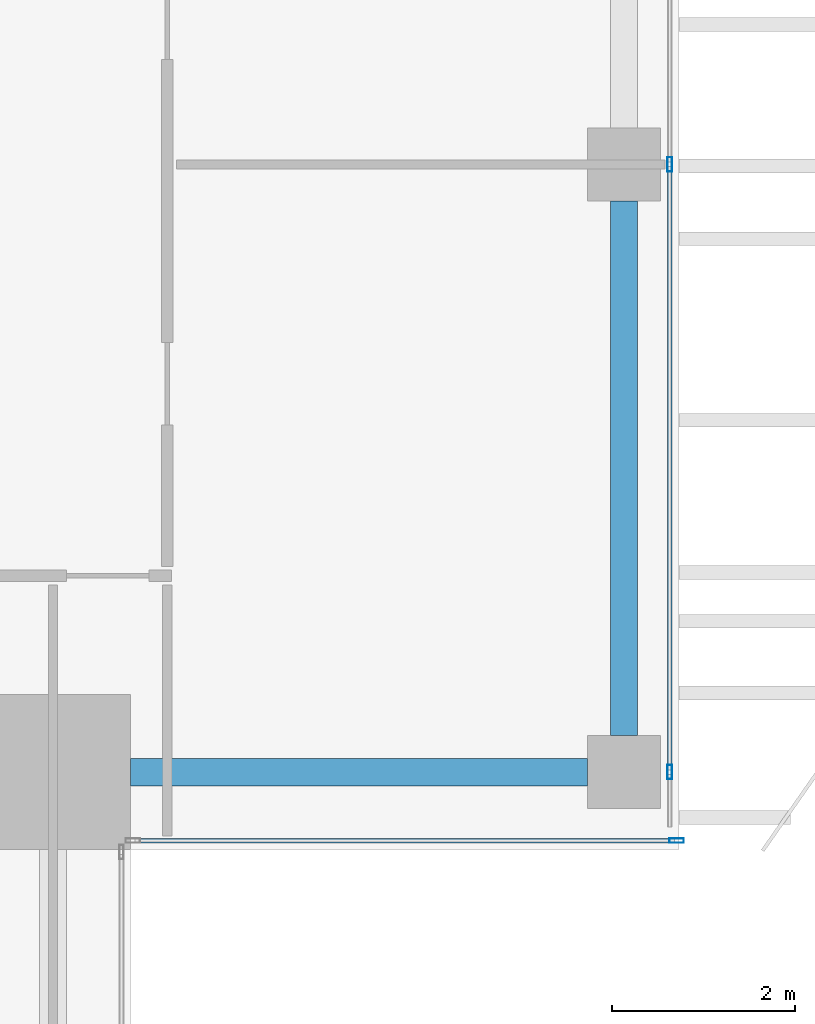
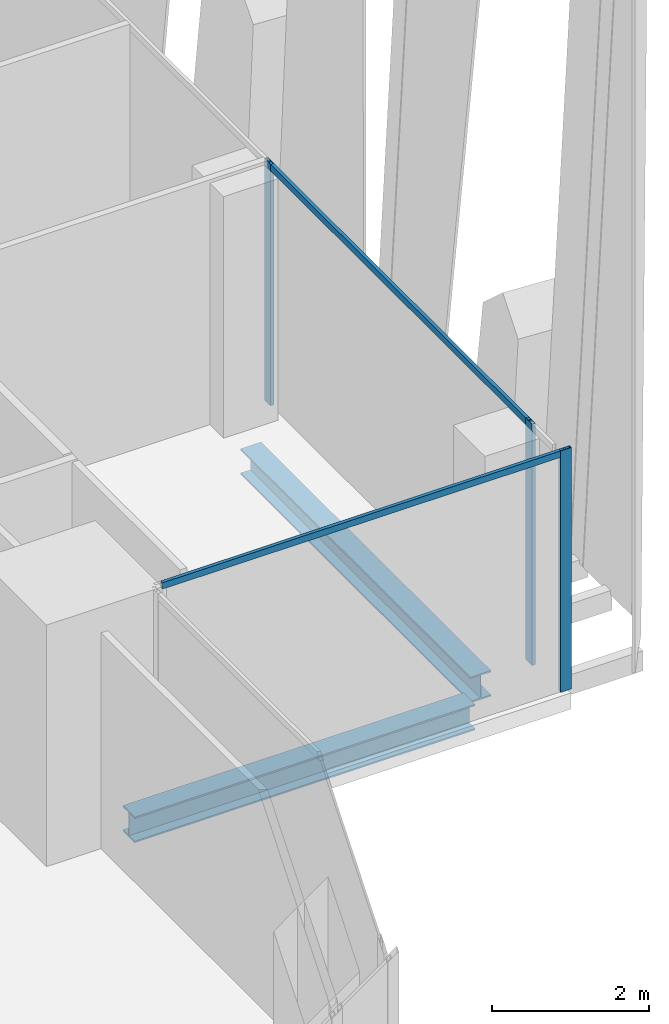
# One storey, part 9 of 33: 5 members, 2 beams, 2 elements without a shape of their own.
"""IFC4 building model written with IfcOpenShell, lengths in metres."""

import ifcopenshell
import ifcopenshell.guid

model = None  # the IFC model being written
_history = None  # IfcOwnerHistory: only IFC2X3 demands one
_inside = {}  # id of a spatial element -> (the spatial element, [elements in it])
_under = {}  # id of a project, library or spatial element -> (it, [spatial elements below it])
_declared = {}  # id of a project -> (the project, [libraries it declares])
_typed = {}  # id of a type object -> (the type object, [elements of that type])
_made_of = {}  # id of a material, layer set ... -> (it, [elements and type objects made of it])


def new_model(schema):
    """Start an empty IFC model of exactly this schema.

    Asked for "IFC4X3", IfcOpenShell would pick the latest addendum, in which some entities
    have other attributes; the version numbers below select the first issue.
    IFC2X3 requires an IfcOwnerHistory on every rooted entity: one is made here for all.
    """
    global model, _history
    if schema == "IFC4X3":
        model = ifcopenshell.file(schema_version=(4, 3, 0, 0))
    else:
        model = ifcopenshell.file(schema=schema)
    _inside.clear()
    _under.clear()
    _declared.clear()
    _typed.clear()
    _made_of.clear()
    _history = None
    if model.schema == "IFC2X3":
        org = make("IfcOrganization", Name="unknown")
        user = make(
            "IfcPersonAndOrganization",
            ThePerson=make("IfcPerson", FamilyName="unknown"),
            TheOrganization=org,
        )
        app = make(
            "IfcApplication",
            ApplicationDeveloper=org,
            Version="unknown",
            ApplicationFullName="unknown",
            ApplicationIdentifier="unknown",
        )
        _history = make(
            "IfcOwnerHistory",
            OwningUser=user,
            OwningApplication=app,
            ChangeAction="ADDED",
            CreationDate=0,
        )
    return model


def make(cls, **values):
    """One entity of the class cls with the attributes given. An attribute that is None is left unset."""
    return model.create_entity(
        cls, **{name: value for name, value in values.items() if value is not None}
    )


def rooted(cls, **values):
    """An entity with a GlobalId (a new one), such as an element, a storey or a relation."""
    return make(cls, GlobalId=ifcopenshell.guid.new(), OwnerHistory=_history, **values)


def si_unit(unit_type, name, prefix=None):
    """IfcSIUnit, for example si_unit("LENGTHUNIT", "METRE", prefix="MILLI")."""
    return make("IfcSIUnit", UnitType=unit_type, Prefix=prefix, Name=name)


def assignment(units):
    """IfcUnitAssignment: the units of a project."""
    return None if units is None else make("IfcUnitAssignment", Units=units)


def point(xyz):
    """IfcCartesianPoint."""
    return None if xyz is None else make("IfcCartesianPoint", Coordinates=xyz)


def direction(xyz):
    """IfcDirection."""
    return None if xyz is None else make("IfcDirection", DirectionRatios=xyz)


def frame(location, z_axis=None, x_axis=None):
    """IfcAxis2Placement3D, a coordinate frame: its origin and axes. An axis left out is left unset."""
    return make(
        "IfcAxis2Placement3D",
        Location=point(location),
        Axis=direction(z_axis),
        RefDirection=direction(x_axis),
    )


def frame_2d(location, x_axis=None):
    """IfcAxis2Placement2D, a coordinate frame in the plane: its origin and x axis."""
    return make(
        "IfcAxis2Placement2D", Location=point(location), RefDirection=direction(x_axis)
    )


def origin():
    """The frame at (0, 0, 0) with its axes left unset."""
    return frame((0.0, 0.0, 0.0))


def origin_2d():
    """The frame at (0, 0) in the plane with its x axis left unset."""
    return frame_2d((0.0, 0.0))


def place(relative_to, where):
    """IfcLocalPlacement: puts the frame where relative to a parent placement (None: the world)."""
    return make(
        "IfcLocalPlacement", PlacementRelTo=relative_to, RelativePlacement=where
    )


def context(
    kind, dimensions, precision=None, world=None, true_north=None, identifier=None
):
    """IfcGeometricRepresentationContext, for example the 3D "Model" context."""
    return make(
        "IfcGeometricRepresentationContext",
        ContextIdentifier=identifier,
        ContextType=kind,
        CoordinateSpaceDimension=dimensions,
        Precision=precision,
        WorldCoordinateSystem=world,
        TrueNorth=true_north,
    )


def subcontext(parent, identifier, kind, view, scale=None):
    """IfcGeometricRepresentationSubContext, for example "Body" below "Model"."""
    return make(
        "IfcGeometricRepresentationSubContext",
        ContextIdentifier=identifier,
        ContextType=kind,
        ParentContext=parent,
        TargetScale=scale,
        TargetView=view,
    )


def project(units=None, contexts=None):
    """IfcProject with its units and contexts."""
    return rooted(
        "IfcProject",
        Name="project",
        RepresentationContexts=contexts,
        UnitsInContext=assignment(units),
    )


def spatial(cls, under=None, at=None, **own):
    """A site, building, storey or space (cls), placed at a placement, below another one or the project."""
    s = rooted(cls, ObjectPlacement=at, **own)
    if under is not None:
        _under.setdefault(under.id(), (under, []))[1].append(s)
    return s


def profile(cls, at=None, kind="AREA", **sizes):
    """A parametric profile (cls). Its sizes go by their IFC names, for example OverallWidth=200.0."""
    return make(cls, ProfileType=kind, Position=at, **sizes)


def hollow_rectangle(**sizes):
    """IfcRectangleHollowProfileDef."""
    return profile("IfcRectangleHollowProfileDef", **sizes)


def i_section(**sizes):
    """IfcIShapeProfileDef."""
    return profile("IfcIShapeProfileDef", **sizes)


def extrude(swept, where, along, depth):
    """IfcExtrudedAreaSolid: the profile swept, set in the frame where, extruded along a direction by depth."""
    return make(
        "IfcExtrudedAreaSolid",
        SweptArea=swept,
        Position=where,
        ExtrudedDirection=direction(along),
        Depth=depth,
    )


def shape(context_of_items, identifier, shape_type, items):
    """IfcShapeRepresentation: the items that make up one representation, for example the "Body"."""
    return make(
        "IfcShapeRepresentation",
        ContextOfItems=context_of_items,
        RepresentationIdentifier=identifier,
        RepresentationType=shape_type,
        Items=items,
    )


def source(mapping_origin, context_of_items, identifier, shape_type, items):
    """IfcRepresentationMap: a shape defined once, which mapped items show again and again."""
    return make(
        "IfcRepresentationMap",
        MappingOrigin=mapping_origin,
        MappedRepresentation=shape(context_of_items, identifier, shape_type, items),
    )


def transform(
    local_origin,
    x_axis=None,
    y_axis=None,
    z_axis=None,
    scale=None,
    scale2=None,
    scale3=None,
    uniform=True,
):
    """IfcCartesianTransformationOperator3D, or its non-uniform kind. x_axis, y_axis, z_axis: its Axis1, 2, 3."""
    if uniform:
        return make(
            "IfcCartesianTransformationOperator3D",
            Axis1=direction(x_axis),
            Axis2=direction(y_axis),
            LocalOrigin=point(local_origin),
            Scale=scale,
            Axis3=direction(z_axis),
        )
    return make(
        "IfcCartesianTransformationOperator3DnonUniform",
        Axis1=direction(x_axis),
        Axis2=direction(y_axis),
        LocalOrigin=point(local_origin),
        Scale=scale,
        Axis3=direction(z_axis),
        Scale2=scale2,
        Scale3=scale3,
    )


def mapped(mapping_source, mapping_target):
    """IfcMappedItem: shows the shape of a source again, moved by a transform."""
    return make(
        "IfcMappedItem", MappingSource=mapping_source, MappingTarget=mapping_target
    )


def material(Name=None, Category=None):
    """IfcMaterial."""
    return make("IfcMaterial", Name=Name, Category=Category)


def material_profile(
    of_material, cross_section, Name=None, Category=None, Priority=None
):
    """IfcMaterialProfile: a cross section and its material."""
    return make(
        "IfcMaterialProfile",
        Name=Name,
        Material=of_material,
        Profile=cross_section,
        Priority=Priority,
        Category=Category,
    )


def profile_set(profiles, Name=None, composite=None):
    """IfcMaterialProfileSet."""
    return make(
        "IfcMaterialProfileSet",
        Name=Name,
        MaterialProfiles=profiles,
        CompositeProfile=composite,
    )


def made_of(thing, what):
    """Note that an element or type object is made of a material, layer set ...; save() writes the relation."""
    if what is not None:
        _made_of.setdefault(what.id(), (what, []))[1].append(thing)
    return thing


def type_object(cls, material=None, **own):
    """A type object (cls), such as IfcWallType, which elements share."""
    return made_of(rooted(cls, **own), material)


def element(
    cls,
    number,
    at=None,
    inside=None,
    cuts=None,
    type_object=None,
    material=None,
    context=None,
    identifier="Body",
    shape_type=None,
    held_by="IfcProductDefinitionShape",
    body=None,
    shapes=None,
    **own,
):
    """One element of the class cls, such as IfcWall. Its Tag is "e" and its number.

    at: its placement. inside: the storey or other place that contains it. cuts: it is an
    opening in that element (IfcRelVoidsElement). A single representation is given by context,
    identifier, shape_type and body (its items); several are given by shapes. held_by: the class
    of the entity that holds the representations. save() writes the other relations.
    """
    e = rooted(cls, Tag="e%d" % number, ObjectPlacement=at, **own)
    if body is not None:
        shapes = [shape(context, identifier, shape_type, body)]
    if shapes is not None:
        e.Representation = make(held_by, Representations=shapes)
    if inside is not None:
        _inside.setdefault(inside.id(), (inside, []))[1].append(e)
    if cuts is not None:
        rooted(
            "IfcRelVoidsElement", RelatingBuildingElement=cuts, RelatedOpeningElement=e
        )
    if type_object is not None:
        _typed.setdefault(type_object.id(), (type_object, []))[1].append(e)
    return made_of(e, material)


def aggregate(whole, parts):
    """IfcRelAggregates: a whole, such as a stair, and the parts it consists of."""
    return rooted("IfcRelAggregates", RelatingObject=whole, RelatedObjects=parts)


def save(model, path):
    """Write the relations noted so far, then the file.

    IfcRelAggregates (storeys below a building ...), IfcRelContainedInSpatialStructure (elements
    in a storey), IfcRelDefinesByType, IfcRelAssociatesMaterial and IfcRelDeclares: one each for
    every whole, place, type object, material and project.
    """
    for whole, parts in _under.values():
        aggregate(whole, parts)
    for where, things in _inside.values():
        rooted(
            "IfcRelContainedInSpatialStructure",
            RelatedElements=things,
            RelatingStructure=where,
        )
    for kind, things in _typed.values():
        rooted("IfcRelDefinesByType", RelatedObjects=things, RelatingType=kind)
    for what, things in _made_of.values():
        rooted("IfcRelAssociatesMaterial", RelatedObjects=things, RelatingMaterial=what)
    for by, libraries in _declared.values():
        rooted("IfcRelDeclares", RelatingContext=by, RelatedDefinitions=libraries)
    model.write(path)


model = new_model("IFC4")

# Units and contexts
model_context = context("Model", 3, precision=1e-05, world=origin(), true_north=direction((0.0, 1.0)))
body_context = subcontext(model_context, "Body", "Model", "MODEL_VIEW")
ifc_project = project(units=[si_unit("LENGTHUNIT", "METRE"), si_unit("AREAUNIT", "SQUARE_METRE"), si_unit("VOLUMEUNIT", "CUBIC_METRE"), si_unit("PLANEANGLEUNIT", "RADIAN"), si_unit("MASSUNIT", "GRAM", prefix="KILO")], contexts=[model_context])

# Site, building, storey
site_placement = place(None, origin())
site = spatial("IfcSite", under=ifc_project, at=site_placement, CompositionType="ELEMENT")
building_placement = place(site_placement, origin())
building = spatial("IfcBuilding", under=site, at=building_placement, Name="Khomas Fold Tower", CompositionType="ELEMENT")
storey_placement = place(building_placement, frame((0.0, 0.0, 294.199951171875)))
storey = spatial("IfcBuildingStorey", under=building, at=storey_placement, Name="L66", CompositionType="ELEMENT", Elevation=294.199951171875)

# Beams
ifc_material_1 = material(Name="Steel S355", Category="steel")
ifc_material_profile_1 = material_profile(ifc_material_1, i_section(OverallWidth=0.300048828125, OverallDepth=0.39990234375, WebThickness=0.013427734375, FlangeThickness=0.02392578125, at=origin_2d()), Name="HE 400 B")
ifc_profile_set_1 = profile_set([ifc_material_profile_1], Name="Steel S355")
beam_type = type_object("IfcBeamType", Name="HE 400 B spandrel SB5", PredefinedType="SPANDREL", material=ifc_profile_set_1)
shared_shape_1 = source(origin(), body_context, "Body", "SweptSolid", [
    extrude(i_section(OverallWidth=0.300048828125, OverallDepth=0.39990234375, WebThickness=0.013427734375, FlangeThickness=0.02392578125, at=origin_2d()), origin(), (0.0, 0.0, 1.0), 5.85009765625),
])
beam_1_placement = place(storey_placement, frame((47.39990234375, 13.25, -0.449951171875), z_axis=(0.0, 1.0, 0.0), x_axis=(-1.0, 0.0, 0.0)))
element("IfcBeam", 1, at=beam_1_placement, inside=storey, type_object=beam_type, Name="SB5", PredefinedType="SPANDREL", context=body_context, shape_type="MappedRepresentation", body=[
    mapped(shared_shape_1, transform((0.0, 0.0, 0.0))),
])
shared_shape_2 = source(origin(), body_context, "Body", "SweptSolid", [
    extrude(i_section(OverallWidth=0.300048828125, OverallDepth=0.39990234375, WebThickness=0.013427734375, FlangeThickness=0.02392578125, at=origin_2d()), origin(), (0.0, 0.0, 1.0), 5.0),
])
beam_2_placement = place(storey_placement, frame((42.0, 12.85009765625, -0.449951171875), z_axis=(1.0, 0.0, 0.0), x_axis=(0.0, 1.0, 0.0)))
element("IfcBeam", 2, at=beam_2_placement, inside=storey, type_object=beam_type, Name="SB5", PredefinedType="SPANDREL", context=body_context, shape_type="MappedRepresentation", body=[
    mapped(shared_shape_2, transform((0.0, 0.0, 0.0))),
])

# Curtain wall, member
ifc_material_2 = material(Name="Aluminium framed double glazing", Category="aluminium")
curtain_wall_type = type_object("IfcCurtainWallType", Name="SK-Unitised clear-glass wall, upper floors CW3", PredefinedType="NOTDEFINED", material=ifc_material_2)
curtain_wall_1_placement = place(storey_placement, origin())
curtain_wall_1 = element("IfcCurtainWall", 3, at=curtain_wall_1_placement, inside=storey, type_object=curtain_wall_type, Name="CW3 corner return L66 02", PredefinedType="NOTDEFINED")
ifc_material_3 = material(Name="Aluminium", Category="aluminium")
ifc_material_profile_2 = material_profile(ifc_material_3, hollow_rectangle(XDim=0.050048828125, YDim=0.159912109375, WallThickness=0.00390625, at=origin_2d()), Name="SK-Unitised clear-glass wall, upper floors mullion CW3-M")
ifc_profile_set_2 = profile_set([ifc_material_profile_2], Name="Aluminium")
member_type_1 = type_object("IfcMemberType", Name="SK-Unitised clear-glass wall, upper floors mullion CW3-M", PredefinedType="MULLION", material=ifc_profile_set_2)
shared_shape_3 = source(origin(), body_context, "Body", "SweptSolid", [
    extrude(hollow_rectangle(XDim=0.050048828125, YDim=0.159912109375, WallThickness=0.00390625, at=origin_2d()), origin(), (0.0, 0.0, 1.0), 3.75),
])
member_1_placement = place(storey_placement, frame((47.97509765625, 12.10009765625, 0.0), z_axis=(0.0, 0.0, 1.0), x_axis=(0.0, 1.0, 0.0)))
member_1 = element("IfcMember", 4, at=member_1_placement, type_object=member_type_1, Name="CW3 mullion 2", PredefinedType="MULLION", context=body_context, shape_type="MappedRepresentation", body=[
    mapped(shared_shape_3, transform((0.0, 0.0, 0.0))),
])

# Curtain wall, members
curtain_wall_2_placement = place(storey_placement, origin())
curtain_wall_2 = element("IfcCurtainWall", 5, at=curtain_wall_2_placement, inside=storey, type_object=curtain_wall_type, Name="CW3 run L66 03-0", PredefinedType="NOTDEFINED")
member_2_placement = place(storey_placement, frame((47.89990234375, 12.85009765625, 0.0), z_axis=(0.0, 0.0, 1.0), x_axis=(-1.0, 0.0, 0.0)))
member_2 = element("IfcMember", 6, at=member_2_placement, type_object=member_type_1, Name="CW3 mullion 2", PredefinedType="MULLION", context=body_context, shape_type="MappedRepresentation", body=[
    mapped(shared_shape_3, transform((0.0, 0.0, 0.0))),
])
member_3_placement = place(storey_placement, frame((47.89990234375, 19.5, 0.0), z_axis=(0.0, 0.0, 1.0), x_axis=(-1.0, 0.0, 0.0)))
member_3 = element("IfcMember", 7, at=member_3_placement, type_object=member_type_1, Name="CW3 mullion 3", PredefinedType="MULLION", context=body_context, shape_type="MappedRepresentation", body=[
    mapped(shared_shape_3, transform((0.0, 0.0, 0.0))),
])
ifc_material_4 = material(Name="Aluminium", Category="aluminium")
ifc_material_profile_3 = material_profile(ifc_material_4, hollow_rectangle(XDim=0.050048828125, YDim=0.10009765625, WallThickness=0.00390625, at=origin_2d()), Name="SK-Unitised clear-glass wall, upper floors transom CW3-T")
ifc_profile_set_3 = profile_set([ifc_material_profile_3], Name="Aluminium")
member_type_2 = type_object("IfcMemberType", Name="SK-Unitised clear-glass wall, upper floors transom CW3-T", PredefinedType="USERDEFINED", material=ifc_profile_set_3)
shared_shape_4 = source(origin(), body_context, "Body", "SweptSolid", [
    extrude(hollow_rectangle(XDim=0.050048828125, YDim=0.10009765625, WallThickness=0.00390625, at=origin_2d()), origin(), (0.0, 0.0, 1.0), 6.60009765625),
])
member_4_placement = place(storey_placement, frame((47.89990234375, 12.875, 3.699951171875), z_axis=(0.0, 1.0, 0.0), x_axis=(-1.0, 0.0, 0.0)))
member_4 = element("IfcMember", 8, at=member_4_placement, type_object=member_type_2, Name="CW3 transom 2", ObjectType="TRANSOM", PredefinedType="USERDEFINED", context=body_context, shape_type="MappedRepresentation", body=[
    mapped(shared_shape_4, transform((0.0, 0.0, 0.0))),
])
aggregate(curtain_wall_2, [member_2, member_3, member_4])

# Member
shared_shape_5 = source(origin(), body_context, "Body", "SweptSolid", [
    extrude(hollow_rectangle(XDim=0.050048828125, YDim=0.10009765625, WallThickness=0.00390625, at=origin_2d()), origin(), (0.0, 0.0, 1.0), 5.89990234375),
])
member_5_placement = place(storey_placement, frame((42.050048828125, 12.10009765625, 3.699951171875), z_axis=(1.0, 0.0, 0.0), x_axis=(0.0, 1.0, 0.0)))
member_5 = element("IfcMember", 9, at=member_5_placement, type_object=member_type_2, Name="CW3 transom 1", ObjectType="TRANSOM", PredefinedType="USERDEFINED", context=body_context, shape_type="MappedRepresentation", body=[
    mapped(shared_shape_5, transform((0.0, 0.0, 0.0))),
])

aggregate(curtain_wall_1, [member_1, member_5])

save(model, "model.ifc")
